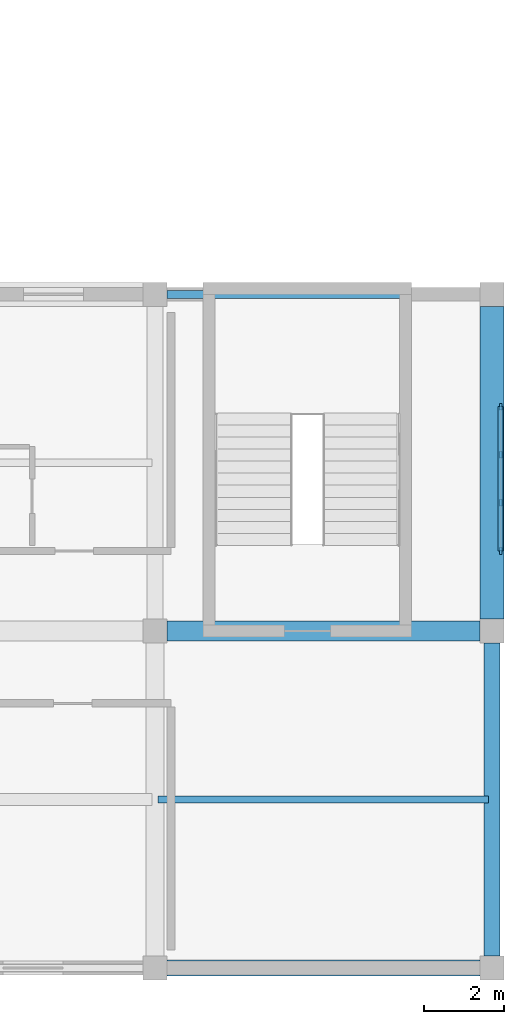
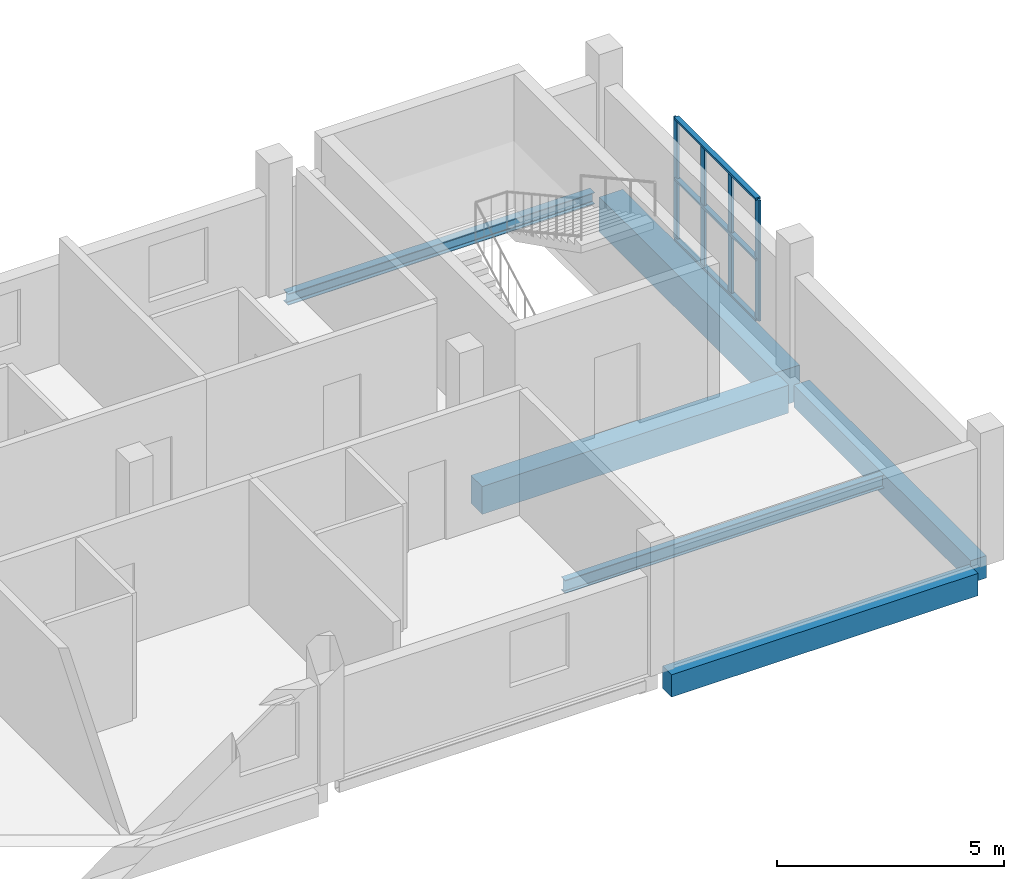
# One storey, part 7 of 24: 7 members, 6 beams, 1 element without a shape of its own.
"""IFC4 building model written with IfcOpenShell, lengths in metres."""

from ifc_helpers import new_model, si_unit, derived_unit, direction, frame, origin, origin_2d, place, context, subcontext, project, spatial, rectangle, i_section, extrude, material, material_profile, profile_set, type_object, element, aggregate, save


model = new_model("IFC4")

# Units and contexts
model_context = context("Model", 3, precision=1e-05, world=origin(), true_north=direction((0.0, 1.0)))
body_context = subcontext(model_context, "Body", "Model", "MODEL_VIEW")
ifc_project = project(units=[si_unit("LENGTHUNIT", "METRE"), si_unit("AREAUNIT", "SQUARE_METRE"), si_unit("VOLUMEUNIT", "CUBIC_METRE"), si_unit("PLANEANGLEUNIT", "RADIAN"), si_unit("MASSUNIT", "GRAM", prefix="KILO"), derived_unit("THERMALTRANSMITTANCEUNIT", [(si_unit("POWERUNIT", "WATT"), 1), (si_unit("LENGTHUNIT", "METRE"), -2), (si_unit("THERMODYNAMICTEMPERATUREUNIT", "KELVIN"), -1)])], contexts=[model_context])

# Site, building, storey
site_placement = place(None, origin())
site = spatial("IfcSite", under=ifc_project, at=site_placement, CompositionType="ELEMENT")
building_placement = place(site_placement, origin())
building = spatial("IfcBuilding", under=site, at=building_placement, Name="Barrovel Congress Hotel", CompositionType="ELEMENT")
storey_placement = place(building_placement, frame((0.0, 0.0, 29.10009765625)))
storey = spatial("IfcBuildingStorey", under=building, at=storey_placement, Name="L07", CompositionType="ELEMENT", Elevation=29.10009765625)

# Beams
ifc_material_1 = material(Name="Concrete C40", Category="concrete")
ifc_material_profile_1 = material_profile(ifc_material_1, rectangle(XDim=0.39990234375, YDim=0.60009765625, at=origin_2d()), Name="RC400x600")
ifc_profile_set_1 = profile_set([ifc_material_profile_1], Name="Concrete C40")
beam_type_1 = type_object("IfcBeamType", Name="BM-RC400x600", PredefinedType="BEAM", material=ifc_profile_set_1)
beam_1_placement = place(storey_placement, frame((143.10009765625, 4.199951171875, -0.52001953125), z_axis=(1.0, 0.0, 0.0), x_axis=(0.0, 1.0, 0.0)))
element("IfcBeam", 1, at=beam_1_placement, inside=storey, type_object=beam_type_1, Name="BMX:L07:4.2:142.8-151.2", PredefinedType="BEAM", context=body_context, shape_type="SweptSolid", body=[
    extrude(rectangle(XDim=0.39990234375, YDim=0.60009765625, at=origin_2d()), origin(), (0.0, 0.0, 1.0), 7.7998046875),
])
beam_2_placement = place(storey_placement, frame((151.199951171875, 4.5, -0.52001953125), z_axis=(0.0, 1.0, 0.0), x_axis=(-1.0, 0.0, 0.0)))
element("IfcBeam", 2, at=beam_2_placement, inside=storey, type_object=beam_type_1, Name="BMY:L07:151.2:4.2-12.6", PredefinedType="BEAM", context=body_context, shape_type="SweptSolid", body=[
    extrude(rectangle(XDim=0.39990234375, YDim=0.60009765625, at=origin_2d()), origin(), (0.0, 0.0, 1.0), 7.800048828125),
])
ifc_material_profile_2 = material_profile(ifc_material_1, rectangle(XDim=0.5, YDim=0.75, at=origin_2d()), Name="RC500x750")
ifc_profile_set_2 = profile_set([ifc_material_profile_2], Name="Concrete C40")
beam_type_2 = type_object("IfcBeamType", Name="BM-RC500x750", PredefinedType="BEAM", material=ifc_profile_set_2)
beam_3_placement = place(storey_placement, frame((143.10009765625, 12.60009765625, -0.59521484375), z_axis=(1.0, 0.0, 0.0), x_axis=(0.0, 1.0, 0.0)))
element("IfcBeam", 3, at=beam_3_placement, inside=storey, type_object=beam_type_2, Name="BMX:L07:12.6:142.8-151.2", PredefinedType="BEAM", context=body_context, shape_type="SweptSolid", body=[
    extrude(rectangle(XDim=0.5, YDim=0.75, at=origin_2d()), origin(), (0.0, 0.0, 1.0), 7.7998046875),
])
ifc_material_profile_3 = material_profile(ifc_material_1, rectangle(XDim=0.60009765625, YDim=0.949951171875, at=origin_2d()), Name="RC600x950")
ifc_profile_set_3 = profile_set([ifc_material_profile_3], Name="Concrete C40")
beam_type_3 = type_object("IfcBeamType", Name="BM-RC600x950", PredefinedType="BEAM", material=ifc_profile_set_3)
beam_4_placement = place(storey_placement, frame((151.199951171875, 12.89990234375, -0.695068359375), z_axis=(0.0, 1.0, 0.0), x_axis=(-1.0, 0.0, 0.0)))
element("IfcBeam", 4, at=beam_4_placement, inside=storey, type_object=beam_type_3, Name="BMY:L07:151.2:12.6-21.0", PredefinedType="BEAM", context=body_context, shape_type="SweptSolid", body=[
    extrude(rectangle(XDim=0.60009765625, YDim=0.949951171875, at=origin_2d()), origin(), (0.0, 0.0, 1.0), 7.800048828125),
])

# Curtain wall, members
ifc_material_2 = material(Name="Anodised Aluminium Alloy 6063-T6", Category="aluminium")
curtain_wall_type = type_object("IfcCurtainWallType", Name="CW-UN-3600x3200", PredefinedType="USERDEFINED", material=ifc_material_2)
curtain_wall_placement = place(storey_placement, origin())
curtain_wall = element("IfcCurtainWall", 5, at=curtain_wall_placement, inside=storey, type_object=curtain_wall_type, Name="CW:L07:UN-1", ObjectType="UNITISED CURTAIN WALL", PredefinedType="USERDEFINED")
ifc_material_profile_4 = material_profile(ifc_material_2, rectangle(XDim=0.06005859375, YDim=0.1650390625, at=origin_2d()), Name="AL-M60x165")
ifc_profile_set_4 = profile_set([ifc_material_profile_4], Name="Anodised Aluminium Alloy 6063-T6")
member_type_1 = type_object("IfcMemberType", Name="CWM-AL-M60x165", PredefinedType="MULLION", material=ifc_profile_set_4)
member_1_placement = place(storey_placement, frame((151.419921875, 14.60009765625, 0.0), z_axis=(0.0, 0.0, 1.0), x_axis=(1.0, 0.0, 0.0)))
member_1 = element("IfcMember", 6, at=member_1_placement, type_object=member_type_1, Name="CW:L07:UN-1:M0", PredefinedType="MULLION", context=body_context, shape_type="SweptSolid", body=[
    extrude(rectangle(XDim=0.06005859375, YDim=0.1650390625, at=origin_2d()), origin(), (0.0, 0.0, 1.0), 3.25),
])
member_2_placement = place(storey_placement, frame((151.419921875, 15.800048828125, 0.0), z_axis=(0.0, 0.0, 1.0), x_axis=(1.0, 0.0, 0.0)))
member_2 = element("IfcMember", 7, at=member_2_placement, type_object=member_type_1, Name="CW:L07:UN-1:M1", PredefinedType="MULLION", context=body_context, shape_type="SweptSolid", body=[
    extrude(rectangle(XDim=0.06005859375, YDim=0.1650390625, at=origin_2d()), origin(), (0.0, 0.0, 1.0), 3.25),
])
member_3_placement = place(storey_placement, frame((151.419921875, 17.0, 0.0), z_axis=(0.0, 0.0, 1.0), x_axis=(1.0, 0.0, 0.0)))
member_3 = element("IfcMember", 8, at=member_3_placement, type_object=member_type_1, Name="CW:L07:UN-1:M2", PredefinedType="MULLION", context=body_context, shape_type="SweptSolid", body=[
    extrude(rectangle(XDim=0.06005859375, YDim=0.1650390625, at=origin_2d()), origin(), (0.0, 0.0, 1.0), 3.25),
])
member_4_placement = place(storey_placement, frame((151.419921875, 18.199951171875, 0.0), z_axis=(0.0, 0.0, 1.0), x_axis=(1.0, 0.0, 0.0)))
member_4 = element("IfcMember", 9, at=member_4_placement, type_object=member_type_1, Name="CW:L07:UN-1:M3", PredefinedType="MULLION", context=body_context, shape_type="SweptSolid", body=[
    extrude(rectangle(XDim=0.06005859375, YDim=0.1650390625, at=origin_2d()), origin(), (0.0, 0.0, 1.0), 3.25),
])
ifc_material_profile_5 = material_profile(ifc_material_2, rectangle(XDim=0.125, YDim=0.06005859375, at=origin_2d()), Name="AL-T60x125")
ifc_profile_set_5 = profile_set([ifc_material_profile_5], Name="Anodised Aluminium Alloy 6063-T6")
member_type_2 = type_object("IfcMemberType", Name="CWT-AL-T60x125", PredefinedType="USERDEFINED", material=ifc_profile_set_5)
member_5_placement = place(storey_placement, frame((151.419921875, 14.60009765625, 0.0), z_axis=(0.0, 1.0, 0.0), x_axis=(-1.0, 0.0, 0.0)))
member_5 = element("IfcMember", 10, at=member_5_placement, type_object=member_type_2, Name="CW:L07:UN-1:T0", ObjectType="TRANSOM", PredefinedType="USERDEFINED", context=body_context, shape_type="SweptSolid", body=[
    extrude(rectangle(XDim=0.125, YDim=0.06005859375, at=origin_2d()), origin(), (0.0, 0.0, 1.0), 3.599853515625),
])
member_6_placement = place(storey_placement, frame((151.419921875, 14.60009765625, 1.625), z_axis=(0.0, 1.0, 0.0), x_axis=(-1.0, 0.0, 0.0)))
member_6 = element("IfcMember", 11, at=member_6_placement, type_object=member_type_2, Name="CW:L07:UN-1:T1", ObjectType="TRANSOM", PredefinedType="USERDEFINED", context=body_context, shape_type="SweptSolid", body=[
    extrude(rectangle(XDim=0.125, YDim=0.06005859375, at=origin_2d()), origin(), (0.0, 0.0, 1.0), 3.599853515625),
])
member_7_placement = place(storey_placement, frame((151.419921875, 14.60009765625, 3.25), z_axis=(0.0, 1.0, 0.0), x_axis=(-1.0, 0.0, 0.0)))
member_7 = element("IfcMember", 12, at=member_7_placement, type_object=member_type_2, Name="CW:L07:UN-1:T2", ObjectType="TRANSOM", PredefinedType="USERDEFINED", context=body_context, shape_type="SweptSolid", body=[
    extrude(rectangle(XDim=0.125, YDim=0.06005859375, at=origin_2d()), origin(), (0.0, 0.0, 1.0), 3.599853515625),
])
aggregate(curtain_wall, [member_1, member_2, member_3, member_4, member_5, member_6, member_7])

# Beams
ifc_material_3 = material(Name="Steel ASTM A992 Grade 50", Category="steel")
ifc_material_profile_6 = material_profile(ifc_material_3, i_section(OverallWidth=0.205078125, OverallDepth=0.31005859375, WebThickness=0.009521484375, FlangeThickness=0.016357421875, FilletRadius=0.012939453125, at=origin_2d()), Name="W310x74")
ifc_profile_set_6 = profile_set([ifc_material_profile_6], Name="Steel ASTM A992 Grade 50")
beam_type_4 = type_object("IfcBeamType", Name="SBM-W310x74", PredefinedType="SPANDREL", material=ifc_profile_set_6)
beam_5_placement = place(storey_placement, frame((143.10009765625, 21.0, -0.375), z_axis=(1.0, 0.0, 0.0), x_axis=(0.0, 1.0, 0.0)))
element("IfcBeam", 13, at=beam_5_placement, inside=storey, type_object=beam_type_4, Name="BMX:L07:21.0:142.8-151.2", PredefinedType="SPANDREL", context=body_context, shape_type="SweptSolid", body=[
    extrude(i_section(OverallWidth=0.205078125, OverallDepth=0.31005859375, WebThickness=0.009521484375, FlangeThickness=0.016357421875, FilletRadius=0.012939453125, at=origin_2d()), origin(), (0.0, 0.0, 1.0), 7.7998046875),
])
ifc_material_profile_7 = material_profile(ifc_material_3, i_section(OverallWidth=0.172119140625, OverallDepth=0.35791015625, WebThickness=0.0078125, FlangeThickness=0.01318359375, FilletRadius=0.011962890625, at=origin_2d()), Name="W360x57")
ifc_profile_set_7 = profile_set([ifc_material_profile_7], Name="Steel ASTM A992 Grade 50")
beam_type_5 = type_object("IfcBeamType", Name="SBM-W360x57", PredefinedType="JOIST", material=ifc_profile_set_7)
beam_6_placement = place(storey_placement, frame((142.8798828125, 8.39990234375, -0.399169921875), z_axis=(1.0, 0.0, 0.0), x_axis=(0.0, 1.0, 0.0)))
element("IfcBeam", 14, at=beam_6_placement, inside=storey, type_object=beam_type_5, Name="JST:L07:142.8:8.4", PredefinedType="JOIST", context=body_context, shape_type="SweptSolid", body=[
    extrude(i_section(OverallWidth=0.172119140625, OverallDepth=0.35791015625, WebThickness=0.0078125, FlangeThickness=0.01318359375, FilletRadius=0.011962890625, at=origin_2d()), origin(), (0.0, 0.0, 1.0), 8.240234375),
])

save(model, "model.ifc")
